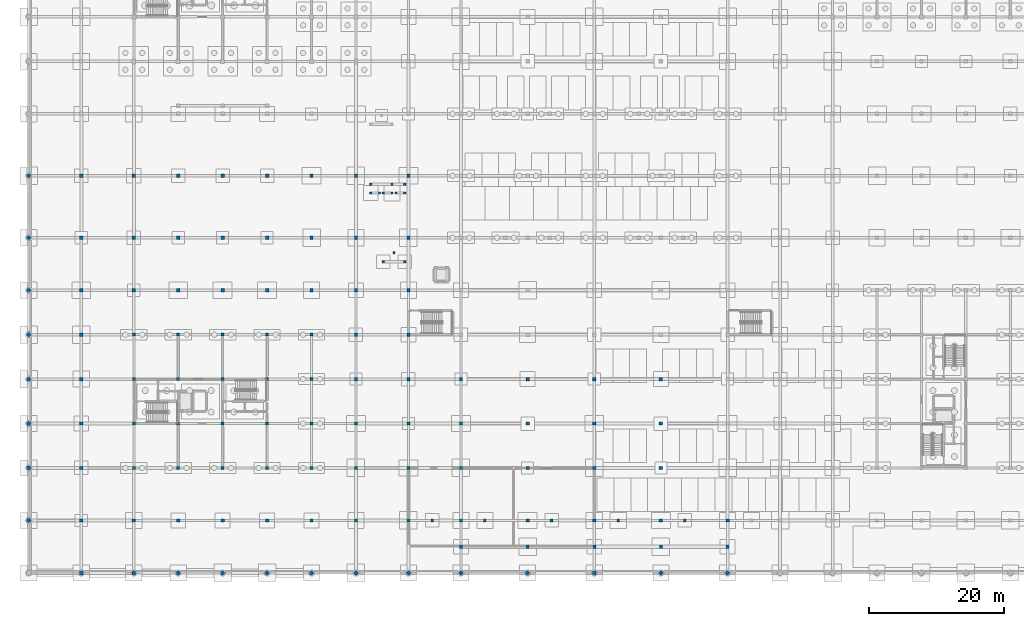
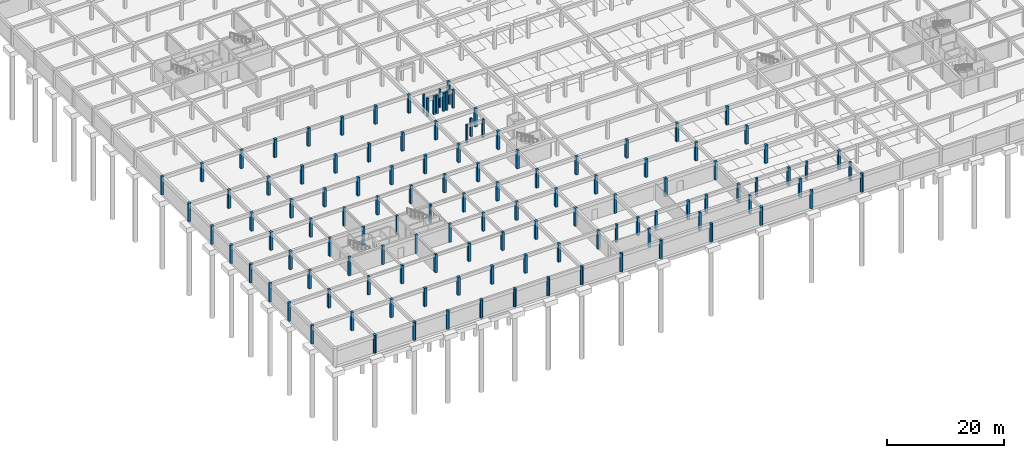
# One storey, part 11 of 37: 124 columns.
"""IFC4 building model written with IfcOpenShell, lengths in metres."""

from ifc_helpers import new_model, si_unit, direction, frame, origin, origin_2d, place, context, subcontext, project, spatial, rectangle, circle, extrude, material, material_profile, profile_set, type_object, element, save


model = new_model("IFC4")

# Units and contexts
model_context = context("Model", 3, precision=1e-05, world=origin(), true_north=direction((0.0, 1.0)))
body_context = subcontext(model_context, "Body", "Model", "MODEL_VIEW")
ifc_project = project(units=[si_unit("LENGTHUNIT", "METRE"), si_unit("AREAUNIT", "SQUARE_METRE"), si_unit("VOLUMEUNIT", "CUBIC_METRE"), si_unit("PLANEANGLEUNIT", "RADIAN"), si_unit("MASSUNIT", "GRAM", prefix="KILO")], contexts=[model_context])

# Site, building, storey
site_placement = place(None, origin())
site = spatial("IfcSite", under=ifc_project, at=site_placement, CompositionType="ELEMENT")
building_placement = place(site_placement, origin())
building = spatial("IfcBuilding", under=site, at=building_placement, Name="Kernevlak Ridge Housing Community", CompositionType="ELEMENT")
storey_placement = place(building_placement, frame((0.0, 0.0, -3.800048828125)))
storey = spatial("IfcBuildingStorey", under=building, at=storey_placement, Name="B1", CompositionType="ELEMENT", Elevation=-3.800048828125)

# Columns
ifc_material_1 = material(Name="Concrete C40/50", Category="concrete")
ifc_material_profile_1 = material_profile(ifc_material_1, rectangle(XDim=0.5, YDim=0.5, at=origin_2d()), Name="RC 500x500")
ifc_profile_set_1 = profile_set([ifc_material_profile_1], Name="Concrete C40/50")
column_type_1 = type_object("IfcColumnType", Name="C-03", PredefinedType="COLUMN", material=ifc_profile_set_1)
for number, where, z_axis, x_axis, name in (
    (1, (7.800048828125, 7.800048828125, 0.0), (0.0, 0.0, 1.0), (1.0, 0.0, 0.0), "Column C-03 COL-POD-B1-018"),
    (2, (7.800048828125, 15.60009765625, 0.0), (0.0, 0.0, 1.0), (1.0, 0.0, 0.0), "Column C-03 COL-POD-B1-019"),
    (3, (7.800048828125, 22.199951171875, 0.0), (0.0, 0.0, 1.0), (1.0, 0.0, 0.0), "Column C-03 COL-POD-B1-020"),
    (4, (7.800048828125, 28.800048828125, 0.0), (0.0, 0.0, 1.0), (1.0, 0.0, 0.0), "Column C-03 COL-POD-B1-021"),
    (5, (7.800048828125, 35.39990234375, 0.0), (0.0, 0.0, 1.0), (1.0, 0.0, 0.0), "Column C-03 COL-POD-B1-022"),
    (6, (7.800048828125, 42.0, 0.0), (0.0, 0.0, 1.0), (1.0, 0.0, 0.0), "Column C-03 COL-POD-B1-023"),
    (7, (7.800048828125, 49.800048828125, 0.0), (0.0, 0.0, 1.0), (1.0, 0.0, 0.0), "Column C-03 COL-POD-B1-024"),
    (8, (7.800048828125, 59.0, 0.0), (0.0, 0.0, 1.0), (1.0, 0.0, 0.0), "Column C-03 COL-POD-B1-025"),
    (9, (15.60009765625, 7.800048828125, 0.0), (0.0, 0.0, 1.0), (1.0, 0.0, 0.0), "Column C-03 COL-POD-B1-035"),
    (10, (15.60009765625, 42.0, 0.0), (0.0, 0.0, 1.0), (1.0, 0.0, 0.0), "Column C-03 COL-POD-B1-036"),
    (11, (15.60009765625, 49.800048828125, 0.0), (0.0, 0.0, 1.0), (1.0, 0.0, 0.0), "Column C-03 COL-POD-B1-037"),
    (12, (15.60009765625, 59.0, 0.0), (0.0, 0.0, 1.0), (1.0, 0.0, 0.0), "Column C-03 COL-POD-B1-038"),
    (13, (22.199951171875, 7.800048828125, 0.0), (0.0, 0.0, 1.0), (1.0, 0.0, 0.0), "Column C-03 COL-POD-B1-044"),
    (14, (22.199951171875, 42.0, 0.0), (0.0, 0.0, 1.0), (1.0, 0.0, 0.0), "Column C-03 COL-POD-B1-045"),
    (15, (22.199951171875, 49.800048828125, 0.0), (0.0, 0.0, 1.0), (1.0, 0.0, 0.0), "Column C-03 COL-POD-B1-046"),
    (16, (22.199951171875, 59.0, 0.0), (0.0, 0.0, 1.0), (1.0, 0.0, 0.0), "Column C-03 COL-POD-B1-047"),
    (17, (28.800048828125, 7.800048828125, 0.0), (0.0, 0.0, 1.0), (1.0, 0.0, 0.0), "Column C-03 COL-POD-B1-053"),
    (18, (28.800048828125, 42.0, 0.0), (0.0, 0.0, 1.0), (1.0, 0.0, 0.0), "Column C-03 COL-POD-B1-054"),
    (19, (28.800048828125, 49.800048828125, 0.0), (0.0, 0.0, 1.0), (1.0, 0.0, 0.0), "Column C-03 COL-POD-B1-055"),
    (20, (28.800048828125, 59.0, 0.0), (0.0, 0.0, 1.0), (1.0, 0.0, 0.0), "Column C-03 COL-POD-B1-056"),
    (21, (35.39990234375, 7.800048828125, 0.0), (0.0, 0.0, 1.0), (1.0, 0.0, 0.0), "Column C-03 COL-POD-B1-062"),
    (22, (35.39990234375, 42.0, 0.0), (0.0, 0.0, 1.0), (1.0, 0.0, 0.0), "Column C-03 COL-POD-B1-063"),
    (23, (35.39990234375, 49.800048828125, 0.0), (0.0, 0.0, 1.0), (1.0, 0.0, 0.0), "Column C-03 COL-POD-B1-064"),
    (24, (35.39990234375, 59.0, 0.0), (0.0, 0.0, 1.0), (1.0, 0.0, 0.0), "Column C-03 COL-POD-B1-065"),
    (25, (42.0, 7.800048828125, 0.0), (0.0, 0.0, 1.0), (1.0, 0.0, 0.0), "Column C-03 COL-POD-B1-071"),
    (26, (42.0, 42.0, 0.0), (0.0, 0.0, 1.0), (1.0, 0.0, 0.0), "Column C-03 COL-POD-B1-072"),
    (27, (42.0, 49.800048828125, 0.0), (0.0, 0.0, 1.0), (1.0, 0.0, 0.0), "Column C-03 COL-POD-B1-073"),
    (28, (42.0, 59.0, 0.0), (0.0, 0.0, 1.0), (1.0, 0.0, 0.0), "Column C-03 COL-POD-B1-074"),
    (29, (48.60009765625, 7.800048828125, 0.0), (0.0, 0.0, 1.0), (1.0, 0.0, 0.0), "Column C-03 COL-POD-B1-080"),
    (30, (48.60009765625, 15.60009765625, 0.0), (0.0, 0.0, 1.0), (1.0, 0.0, 0.0), "Column C-03 COL-POD-B1-081"),
    (31, (48.60009765625, 22.199951171875, 0.0), (0.0, 0.0, 1.0), (1.0, 0.0, 0.0), "Column C-03 COL-POD-B1-082"),
    (32, (48.60009765625, 28.800048828125, 0.0), (0.0, 0.0, 1.0), (1.0, 0.0, 0.0), "Column C-03 COL-POD-B1-083"),
    (33, (48.60009765625, 35.39990234375, 0.0), (0.0, 0.0, 1.0), (1.0, 0.0, 0.0), "Column C-03 COL-POD-B1-084"),
    (34, (48.60009765625, 42.0, 0.0), (0.0, 0.0, 1.0), (1.0, 0.0, 0.0), "Column C-03 COL-POD-B1-085"),
    (35, (48.60009765625, 49.800048828125, 0.0), (0.0, 0.0, 1.0), (1.0, 0.0, 0.0), "Column C-03 COL-POD-B1-086"),
    (36, (48.60009765625, 59.0, 0.0), (0.0, 0.0, 1.0), (1.0, 0.0, 0.0), "Column C-03 COL-POD-B1-087"),
    (37, (56.39990234375, 7.800048828125, 0.0), (0.0, 0.0, 1.0), (1.0, 0.0, 0.0), "Column C-03 COL-POD-B1-093"),
    (38, (56.39990234375, 15.60009765625, 0.0), (0.0, 0.0, 1.0), (1.0, 0.0, 0.0), "Column C-03 COL-POD-B1-094"),
    (39, (56.39990234375, 22.199951171875, 0.0), (0.0, 0.0, 1.0), (1.0, 0.0, 0.0), "Column C-03 COL-POD-B1-095"),
    (40, (56.39990234375, 28.800048828125, 0.0), (0.0, 0.0, 1.0), (1.0, 0.0, 0.0), "Column C-03 COL-POD-B1-096"),
    (41, (56.39990234375, 35.39990234375, 0.0), (0.0, 0.0, 1.0), (1.0, 0.0, 0.0), "Column C-03 COL-POD-B1-097"),
    (42, (56.39990234375, 42.0, 0.0), (0.0, 0.0, 1.0), (1.0, 0.0, 0.0), "Column C-03 COL-POD-B1-098"),
    (43, (56.39990234375, 49.800048828125, 0.0), (0.0, 0.0, 1.0), (1.0, 0.0, 0.0), "Column C-03 COL-POD-B1-099"),
    (44, (56.39990234375, 59.0, 0.0), (0.0, 0.0, 1.0), (1.0, 0.0, 0.0), "Column C-03 COL-POD-B1-100"),
    (45, (64.199951171875, 7.800048828125, 0.0), (0.0, 0.0, 1.0), (1.0, 0.0, 0.0), "Column C-03 COL-POD-B1-110"),
    (46, (64.199951171875, 15.60009765625, 0.0), (0.0, 0.0, 1.0), (1.0, 0.0, 0.0), "Column C-03 COL-POD-B1-111"),
    (47, (64.199951171875, 22.199951171875, 0.0), (0.0, 0.0, 1.0), (1.0, 0.0, 0.0), "Column C-03 COL-POD-B1-112"),
    (48, (64.199951171875, 28.800048828125, 0.0), (0.0, 0.0, 1.0), (1.0, 0.0, 0.0), "Column C-03 COL-POD-B1-113"),
    (49, (74.10009765625, 7.800048828125, 0.0), (0.0, 0.0, 1.0), (1.0, 0.0, 0.0), "Column C-03 COL-POD-B1-127"),
    (50, (74.10009765625, 15.60009765625, 0.0), (0.0, 0.0, 1.0), (1.0, 0.0, 0.0), "Column C-03 COL-POD-B1-128"),
    (51, (74.10009765625, 22.199951171875, 0.0), (0.0, 0.0, 1.0), (1.0, 0.0, 0.0), "Column C-03 COL-POD-B1-129"),
    (52, (74.10009765625, 28.800048828125, 0.0), (0.0, 0.0, 1.0), (1.0, 0.0, 0.0), "Column C-03 COL-POD-B1-130"),
    (53, (84.0, 7.800048828125, 0.0), (0.0, 0.0, 1.0), (1.0, 0.0, 0.0), "Column C-03 COL-POD-B1-144"),
    (54, (84.0, 15.60009765625, 0.0), (0.0, 0.0, 1.0), (1.0, 0.0, 0.0), "Column C-03 COL-POD-B1-145"),
    (55, (84.0, 22.199951171875, 0.0), (0.0, 0.0, 1.0), (1.0, 0.0, 0.0), "Column C-03 COL-POD-B1-146"),
    (56, (84.0, 28.800048828125, 0.0), (0.0, 0.0, 1.0), (1.0, 0.0, 0.0), "Column C-03 COL-POD-B1-147"),
    (57, (93.89990234375, 7.800048828125, 0.0), (0.0, 0.0, 1.0), (1.0, 0.0, 0.0), "Column C-03 COL-POD-B1-161"),
    (58, (93.89990234375, 15.60009765625, 0.0), (0.0, 0.0, 1.0), (1.0, 0.0, 0.0), "Column C-03 COL-POD-B1-162"),
    (59, (93.89990234375, 22.199951171875, 0.0), (0.0, 0.0, 1.0), (1.0, 0.0, 0.0), "Column C-03 COL-POD-B1-163"),
    (60, (93.89990234375, 28.800048828125, 0.0), (0.0, 0.0, 1.0), (1.0, 0.0, 0.0), "Column C-03 COL-POD-B1-164"),
    (61, (103.800048828125, 7.800048828125, 0.0), (0.0, 0.0, 1.0), (1.0, 0.0, 0.0), "Column C-03 COL-POD-B1-178"),
):
    element("IfcColumn", number, at=place(storey_placement, frame(where, z_axis=z_axis, x_axis=x_axis)), inside=storey, type_object=column_type_1, Name=name, PredefinedType="COLUMN", context=body_context, shape_type="SweptSolid", body=[
        extrude(rectangle(XDim=0.5, YDim=0.5, at=origin_2d()), origin(), (0.0, 0.0, 1.0), 3.800048828125),
    ])
ifc_material_2 = material(Name="Concrete C35/45", Category="concrete")
ifc_material_profile_2 = material_profile(ifc_material_2, rectangle(XDim=0.449951171875, YDim=0.449951171875, at=origin_2d()), Name="RC 450x450")
ifc_profile_set_2 = profile_set([ifc_material_profile_2], Name="Concrete C35/45")
column_type_2 = type_object("IfcColumnType", Name="C-04", PredefinedType="COLUMN", material=ifc_profile_set_2)
for number, where, z_axis, x_axis, name in (
    (62, (15.60009765625, 15.60009765625, 0.0), (0.0, 0.0, 1.0), (1.0, 0.0, 0.0), "Column C-04 COL-D-B1-00-0"),
    (63, (15.60009765625, 22.199951171875, 0.0), (0.0, 0.0, 1.0), (1.0, 0.0, 0.0), "Column C-04 COL-D-B1-00-1"),
    (64, (15.60009765625, 28.800048828125, 0.0), (0.0, 0.0, 1.0), (1.0, 0.0, 0.0), "Column C-04 COL-D-B1-00-2"),
    (65, (15.60009765625, 35.39990234375, 0.0), (0.0, 0.0, 1.0), (1.0, 0.0, 0.0), "Column C-04 COL-D-B1-00-3"),
    (66, (22.199951171875, 15.60009765625, 0.0), (0.0, 0.0, 1.0), (1.0, 0.0, 0.0), "Column C-04 COL-D-B1-01-0"),
    (67, (22.199951171875, 22.199951171875, 0.0), (0.0, 0.0, 1.0), (1.0, 0.0, 0.0), "Column C-04 COL-D-B1-01-1"),
    (68, (22.199951171875, 28.800048828125, 0.0), (0.0, 0.0, 1.0), (1.0, 0.0, 0.0), "Column C-04 COL-D-B1-01-2"),
    (69, (22.199951171875, 35.39990234375, 0.0), (0.0, 0.0, 1.0), (1.0, 0.0, 0.0), "Column C-04 COL-D-B1-01-3"),
    (70, (28.800048828125, 15.60009765625, 0.0), (0.0, 0.0, 1.0), (1.0, 0.0, 0.0), "Column C-04 COL-D-B1-02-0"),
    (71, (28.800048828125, 22.199951171875, 0.0), (0.0, 0.0, 1.0), (1.0, 0.0, 0.0), "Column C-04 COL-D-B1-02-1"),
    (72, (28.800048828125, 28.800048828125, 0.0), (0.0, 0.0, 1.0), (1.0, 0.0, 0.0), "Column C-04 COL-D-B1-02-2"),
    (73, (28.800048828125, 35.39990234375, 0.0), (0.0, 0.0, 1.0), (1.0, 0.0, 0.0), "Column C-04 COL-D-B1-02-3"),
    (74, (35.39990234375, 15.60009765625, 0.0), (0.0, 0.0, 1.0), (1.0, 0.0, 0.0), "Column C-04 COL-D-B1-03-0"),
    (75, (35.39990234375, 22.199951171875, 0.0), (0.0, 0.0, 1.0), (1.0, 0.0, 0.0), "Column C-04 COL-D-B1-03-1"),
    (76, (35.39990234375, 28.800048828125, 0.0), (0.0, 0.0, 1.0), (1.0, 0.0, 0.0), "Column C-04 COL-D-B1-03-2"),
    (77, (35.39990234375, 35.39990234375, 0.0), (0.0, 0.0, 1.0), (1.0, 0.0, 0.0), "Column C-04 COL-D-B1-03-3"),
    (78, (42.0, 15.60009765625, 0.0), (0.0, 0.0, 1.0), (1.0, 0.0, 0.0), "Column C-04 COL-D-B1-04-0"),
    (79, (42.0, 22.199951171875, 0.0), (0.0, 0.0, 1.0), (1.0, 0.0, 0.0), "Column C-04 COL-D-B1-04-1"),
    (80, (42.0, 28.800048828125, 0.0), (0.0, 0.0, 1.0), (1.0, 0.0, 0.0), "Column C-04 COL-D-B1-04-2"),
    (81, (42.0, 35.39990234375, 0.0), (0.0, 0.0, 1.0), (1.0, 0.0, 0.0), "Column C-04 COL-D-B1-04-3"),
    (82, (64.199951171875, 3.89990234375, 0.0), (0.0, 0.0, 1.0), (1.0, 0.0, 0.0), "Column C-04 COL-CAN-B1-00"),
    (83, (74.10009765625, 3.89990234375, 0.0), (0.0, 0.0, 1.0), (1.0, 0.0, 0.0), "Column C-04 COL-CAN-B1-01"),
    (84, (84.0, 3.89990234375, 0.0), (0.0, 0.0, 1.0), (1.0, 0.0, 0.0), "Column C-04 COL-CAN-B1-02"),
    (85, (93.89990234375, 3.89990234375, 0.0), (0.0, 0.0, 1.0), (1.0, 0.0, 0.0), "Column C-04 COL-CAN-B1-03"),
    (86, (103.800048828125, 3.89990234375, 0.0), (0.0, 0.0, 1.0), (1.0, 0.0, 0.0), "Column C-04 COL-CAN-B1-04"),
):
    element("IfcColumn", number, at=place(storey_placement, frame(where, z_axis=z_axis, x_axis=x_axis)), inside=storey, type_object=column_type_2, Name=name, PredefinedType="COLUMN", context=body_context, shape_type="SweptSolid", body=[
        extrude(rectangle(XDim=0.449951171875, YDim=0.449951171875, at=origin_2d()), origin(), (0.0, 0.0, 1.0), 3.800048828125),
    ])
ifc_material_profile_3 = material_profile(ifc_material_2, rectangle(XDim=0.39990234375, YDim=0.39990234375, at=origin_2d()), Name="RC 400x400")
ifc_profile_set_3 = profile_set([ifc_material_profile_3], Name="Concrete C35/45")
column_type_3 = type_object("IfcColumnType", Name="C-05", PredefinedType="COLUMN", material=ifc_profile_set_3)
for number, where, z_axis, x_axis, name in (
    (87, (59.949951171875, 7.800048828125, 0.0), (0.0, 0.0, 1.0), (1.0, 0.0, 0.0), "Column C-05 COL-PIL-B1-00"),
    (88, (67.75, 7.800048828125, 0.0), (0.0, 0.0, 1.0), (1.0, 0.0, 0.0), "Column C-05 COL-PIL-B1-01"),
    (89, (77.64990234375, 7.800048828125, 0.0), (0.0, 0.0, 1.0), (1.0, 0.0, 0.0), "Column C-05 COL-PIL-B1-02"),
    (90, (87.550048828125, 7.800048828125, 0.0), (0.0, 0.0, 1.0), (1.0, 0.0, 0.0), "Column C-05 COL-PIL-B1-03"),
    (91, (97.449951171875, 7.800048828125, 0.0), (0.0, 0.0, 1.0), (1.0, 0.0, 0.0), "Column C-05 COL-PIL-B1-04"),
):
    element("IfcColumn", number, at=place(storey_placement, frame(where, z_axis=z_axis, x_axis=x_axis)), inside=storey, type_object=column_type_3, Name=name, PredefinedType="COLUMN", context=body_context, shape_type="SweptSolid", body=[
        extrude(rectangle(XDim=0.39990234375, YDim=0.39990234375, at=origin_2d()), origin(), (0.0, 0.0, 1.0), 3.800048828125),
    ])
ifc_material_profile_4 = material_profile(ifc_material_2, rectangle(XDim=0.35009765625, YDim=0.35009765625, at=origin_2d()), Name="RC 350x350")
ifc_profile_set_4 = profile_set([ifc_material_profile_4], Name="Concrete C35/45")
column_type_4 = type_object("IfcColumnType", Name="C-06", PredefinedType="COLUMN", material=ifc_profile_set_4)
for number, where, z_axis, x_axis, name in (
    (92, (50.800048828125, 56.449951171875, 0.0), (0.0, 0.0, 1.0), (1.0, 0.0, 0.0), "Column C-06 COL-RMP-B1-01"),
    (93, (52.10009765625, 56.449951171875, 0.0), (0.0, 0.0, 1.0), (1.0, 0.0, 0.0), "Column C-06 COL-RMP-B1-02"),
    (94, (50.800048828125, 57.75, 0.0), (0.0, 0.0, 1.0), (1.0, 0.0, 0.0), "Column C-06 COL-RMP-B1-03"),
    (95, (52.64990234375, 56.449951171875, 0.0), (0.0, 0.0, 1.0), (1.0, 0.0, 0.0), "Column C-06 COL-RMP-B1-07"),
    (96, (53.949951171875, 56.449951171875, 0.0), (0.0, 0.0, 1.0), (1.0, 0.0, 0.0), "Column C-06 COL-RMP-B1-08"),
    (97, (53.949951171875, 57.75, 0.0), (0.0, 0.0, 1.0), (1.0, 0.0, 0.0), "Column C-06 COL-RMP-B1-09"),
    (98, (52.64990234375, 46.25, 0.0), (0.0, 0.0, 1.0), (1.0, 0.0, 0.0), "Column C-06 COL-RMP-B1-10"),
    (99, (55.85009765625, 46.25, 0.0), (0.0, 0.0, 1.0), (1.0, 0.0, 0.0), "Column C-06 COL-RMP-B1-11"),
    (100, (54.25, 47.550048828125, 0.0), (0.0, 0.0, 1.0), (1.0, 0.0, 0.0), "Column C-06 COL-RMP-B1-12"),
    (101, (54.550048828125, 56.449951171875, 0.0), (0.0, 0.0, 1.0), (1.0, 0.0, 0.0), "Column C-06 COL-RMP-B1-13"),
    (102, (55.85009765625, 56.449951171875, 0.0), (0.0, 0.0, 1.0), (1.0, 0.0, 0.0), "Column C-06 COL-RMP-B1-14"),
    (103, (55.85009765625, 57.75, 0.0), (0.0, 0.0, 1.0), (1.0, 0.0, 0.0), "Column C-06 COL-RMP-B1-15"),
):
    element("IfcColumn", number, at=place(storey_placement, frame(where, z_axis=z_axis, x_axis=x_axis)), inside=storey, type_object=column_type_4, Name=name, PredefinedType="COLUMN", context=body_context, shape_type="SweptSolid", body=[
        extrude(rectangle(XDim=0.35009765625, YDim=0.35009765625, at=origin_2d()), origin(), (0.0, 0.0, 1.0), 3.800048828125),
    ])
ifc_material_profile_5 = material_profile(ifc_material_1, circle(Radius=0.300048828125, at=origin_2d()), Name="RC D600")
ifc_profile_set_5 = profile_set([ifc_material_profile_5], Name="Concrete C40/50")
column_type_5 = type_object("IfcColumnType", Name="C-09", PredefinedType="COLUMN", material=ifc_profile_set_5)
for number, where, z_axis, x_axis, name in (
    (104, (0.0, 7.800048828125, 0.0), (0.0, 0.0, 1.0), (1.0, 0.0, 0.0), "Column C-09 COL-POD-B1-001"),
    (105, (0.0, 15.60009765625, 0.0), (0.0, 0.0, 1.0), (1.0, 0.0, 0.0), "Column C-09 COL-POD-B1-002"),
    (106, (0.0, 22.199951171875, 0.0), (0.0, 0.0, 1.0), (1.0, 0.0, 0.0), "Column C-09 COL-POD-B1-003"),
    (107, (0.0, 28.800048828125, 0.0), (0.0, 0.0, 1.0), (1.0, 0.0, 0.0), "Column C-09 COL-POD-B1-004"),
    (108, (0.0, 35.39990234375, 0.0), (0.0, 0.0, 1.0), (1.0, 0.0, 0.0), "Column C-09 COL-POD-B1-005"),
    (109, (0.0, 42.0, 0.0), (0.0, 0.0, 1.0), (1.0, 0.0, 0.0), "Column C-09 COL-POD-B1-006"),
    (110, (0.0, 49.800048828125, 0.0), (0.0, 0.0, 1.0), (1.0, 0.0, 0.0), "Column C-09 COL-POD-B1-007"),
    (111, (0.0, 59.0, 0.0), (0.0, 0.0, 1.0), (1.0, 0.0, 0.0), "Column C-09 COL-POD-B1-008"),
    (112, (7.800048828125, 0.0, 0.0), (0.0, 0.0, 1.0), (1.0, 0.0, 0.0), "Column C-09 COL-POD-B1-017"),
    (113, (15.60009765625, 0.0, 0.0), (0.0, 0.0, 1.0), (1.0, 0.0, 0.0), "Column C-09 COL-POD-B1-034"),
    (114, (22.199951171875, 0.0, 0.0), (0.0, 0.0, 1.0), (1.0, 0.0, 0.0), "Column C-09 COL-POD-B1-043"),
    (115, (28.800048828125, 0.0, 0.0), (0.0, 0.0, 1.0), (1.0, 0.0, 0.0), "Column C-09 COL-POD-B1-052"),
    (116, (35.39990234375, 0.0, 0.0), (0.0, 0.0, 1.0), (1.0, 0.0, 0.0), "Column C-09 COL-POD-B1-061"),
    (117, (42.0, 0.0, 0.0), (0.0, 0.0, 1.0), (1.0, 0.0, 0.0), "Column C-09 COL-POD-B1-070"),
    (118, (48.60009765625, 0.0, 0.0), (0.0, 0.0, 1.0), (1.0, 0.0, 0.0), "Column C-09 COL-POD-B1-079"),
    (119, (56.39990234375, 0.0, 0.0), (0.0, 0.0, 1.0), (1.0, 0.0, 0.0), "Column C-09 COL-POD-B1-092"),
    (120, (64.199951171875, 0.0, 0.0), (0.0, 0.0, 1.0), (1.0, 0.0, 0.0), "Column C-09 COL-POD-B1-109"),
    (121, (74.10009765625, 0.0, 0.0), (0.0, 0.0, 1.0), (1.0, 0.0, 0.0), "Column C-09 COL-POD-B1-126"),
    (122, (84.0, 0.0, 0.0), (0.0, 0.0, 1.0), (1.0, 0.0, 0.0), "Column C-09 COL-POD-B1-143"),
    (123, (93.89990234375, 0.0, 0.0), (0.0, 0.0, 1.0), (1.0, 0.0, 0.0), "Column C-09 COL-POD-B1-160"),
    (124, (103.800048828125, 0.0, 0.0), (0.0, 0.0, 1.0), (1.0, 0.0, 0.0), "Column C-09 COL-POD-B1-177"),
):
    element("IfcColumn", number, at=place(storey_placement, frame(where, z_axis=z_axis, x_axis=x_axis)), inside=storey, type_object=column_type_5, Name=name, PredefinedType="COLUMN", context=body_context, shape_type="SweptSolid", body=[
        extrude(circle(Radius=0.300048828125, at=origin_2d()), origin(), (0.0, 0.0, 1.0), 3.800048828125),
    ])

save(model, "model.ifc")
